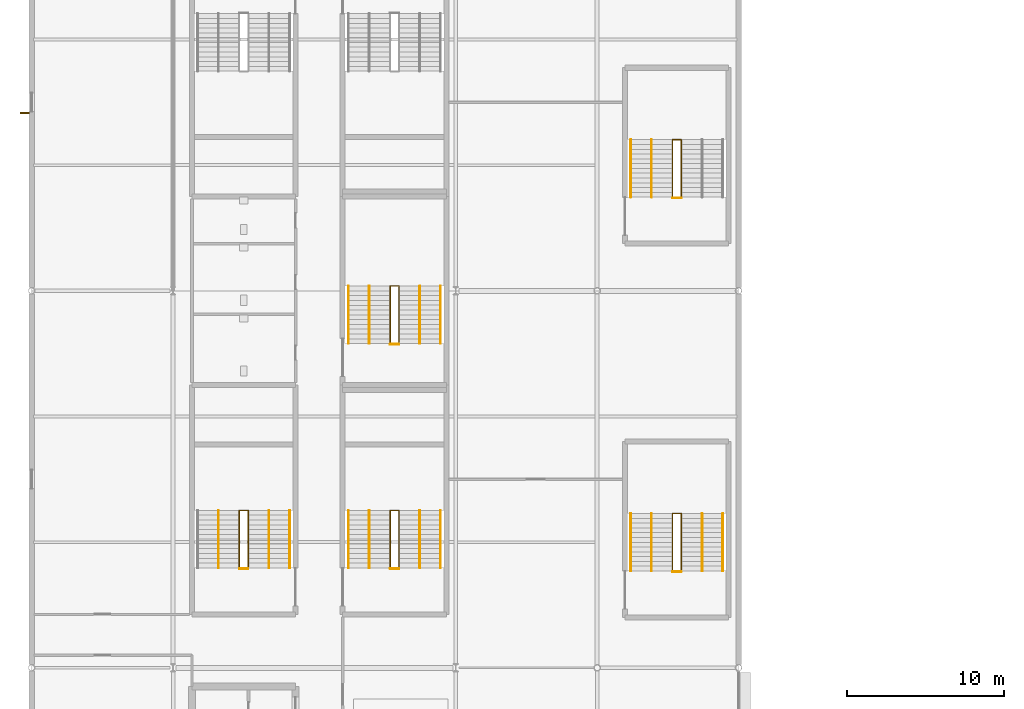
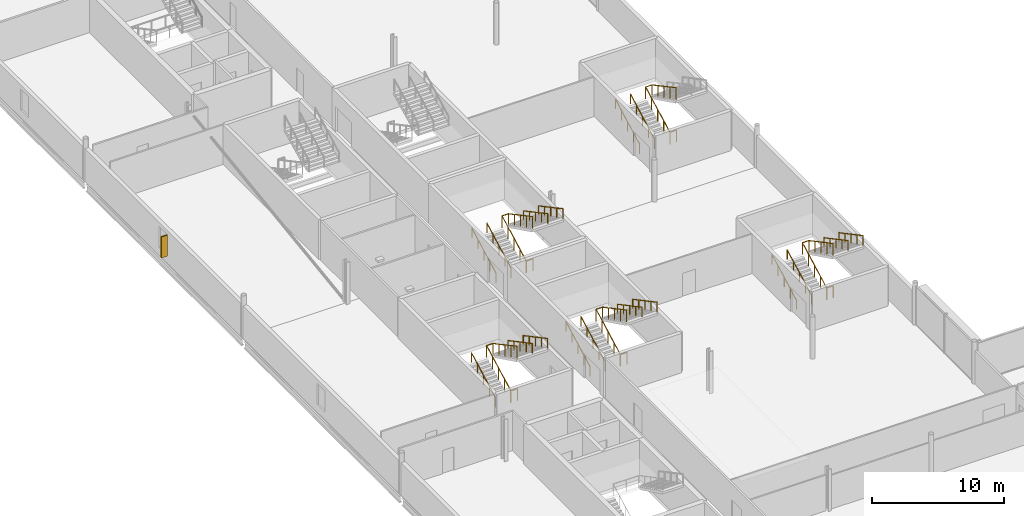
# One storey, part 88 of 96: 27 railings, 1 shading device.
"""IFC4 building model written with IfcOpenShell, lengths in metres."""

from ifc_helpers import new_model, si_unit, direction, frame, origin, origin_2d, place, context, subcontext, project, spatial, rectangle, circle, extrude, material, type_object, element, save


model = new_model("IFC4")

# Units and contexts
model_context = context("Model", 3, precision=1e-05, world=origin(), true_north=direction((0.0, 1.0)))
body_context = subcontext(model_context, "Body", "Model", "MODEL_VIEW")
ifc_project = project(units=[si_unit("LENGTHUNIT", "METRE"), si_unit("AREAUNIT", "SQUARE_METRE"), si_unit("VOLUMEUNIT", "CUBIC_METRE"), si_unit("PLANEANGLEUNIT", "RADIAN"), si_unit("MASSUNIT", "GRAM", prefix="KILO")], contexts=[model_context])

# Site, building, storey
site_placement = place(None, origin())
site = spatial("IfcSite", under=ifc_project, at=site_placement, CompositionType="ELEMENT")
building_placement = place(site_placement, origin())
building = spatial("IfcBuilding", under=site, at=building_placement, Name="Kisiwana Market Hall", CompositionType="ELEMENT")
storey_placement = place(building_placement, frame((0.0, 0.0, 25.5)))
storey = spatial("IfcBuildingStorey", under=building, at=storey_placement, Name="L05", CompositionType="ELEMENT", Elevation=25.5)

# Railings
ifc_material_1 = material(Name="Steel S275", Category="steel")
railing_type_1 = type_object("IfcRailingType", Name="RL-GUARD-1100", PredefinedType="GUARDRAIL", material=ifc_material_1)
railing_1_placement = place(storey_placement, frame((13.219970703125, 42.360107421875, 0.0)))
element("IfcRailing", 1, at=railing_1_placement, inside=storey, type_object=railing_type_1, Name="Stair ST-W3-L05 inner-well guardrail (RL-867)", PredefinedType="GUARDRAIL", context=body_context, shape_type="SweptSolid", body=[
    extrude(circle(Radius=0.02392578125, at=origin_2d()), frame((0.0, 0.0, 1.076171875), z_axis=(0.0, 0.88255331184, 0.47021234752), x_axis=(-1.0, 0.0, 0.0)), (0.0, 0.0, 1.0), 4.14697265625),
    extrude(circle(Radius=0.02392578125, at=origin_2d()), frame((0.0, 3.659912109375, 3.02587890625), z_axis=(1.0, 0.0, 0.0), x_axis=(0.0, 1.0, 0.0)), (0.0, 0.0, 1.0), 0.56005859375),
    extrude(circle(Radius=0.02392578125, at=origin_2d()), frame((0.56005859375, 3.659912109375, 3.02587890625), z_axis=(0.0, -0.88255331184, 0.47021234752), x_axis=(1.0, 0.0, 0.0)), (0.0, 0.0, 1.0), 4.14697265625),
    extrude(circle(Radius=0.02099609375, at=origin_2d()), origin(), (0.0, 0.0, 1.0), 1.052001953125),
    extrude(circle(Radius=0.02099609375, at=origin_2d()), frame((0.0, 0.9150390625, 0.487548828125)), (0.0, 0.0, 1.0), 1.052001953125),
    extrude(circle(Radius=0.02099609375, at=origin_2d()), frame((0.0, 1.830078125, 0.97509765625)), (0.0, 0.0, 1.0), 1.052001953125),
    extrude(circle(Radius=0.02099609375, at=origin_2d()), frame((0.0, 2.744873046875, 1.46240234375)), (0.0, 0.0, 1.0), 1.052001953125),
    extrude(circle(Radius=0.02099609375, at=origin_2d()), frame((0.0, 3.659912109375, 1.949951171875)), (0.0, 0.0, 1.0), 1.052001953125),
    extrude(circle(Radius=0.02099609375, at=origin_2d()), frame((0.56005859375, 3.659912109375, 1.949951171875)), (0.0, 0.0, 1.0), 1.052001953125),
    extrude(circle(Radius=0.02099609375, at=origin_2d()), frame((0.56005859375, 2.744873046875, 2.4375)), (0.0, 0.0, 1.0), 1.052001953125),
    extrude(circle(Radius=0.02099609375, at=origin_2d()), frame((0.56005859375, 1.830078125, 2.9248046875)), (0.0, 0.0, 1.0), 1.052001953125),
    extrude(circle(Radius=0.02099609375, at=origin_2d()), frame((0.56005859375, 0.9150390625, 3.412353515625)), (0.0, 0.0, 1.0), 1.052001953125),
    extrude(circle(Radius=0.02099609375, at=origin_2d()), frame((0.56005859375, 0.0, 3.89990234375)), (0.0, 0.0, 1.0), 1.052001953125),
])
railing_2_placement = place(storey_placement, frame((13.219970703125, 42.31005859375, 0.0)))
element("IfcRailing", 2, at=railing_2_placement, inside=storey, type_object=railing_type_1, Name="Stair ST-W3-L05 landing edge guardrail (RL-872)", PredefinedType="GUARDRAIL", context=body_context, shape_type="SweptSolid", body=[
    extrude(circle(Radius=0.02392578125, at=origin_2d()), frame((0.0, 0.0, 1.076171875), z_axis=(1.0, 0.0, 0.0), x_axis=(0.0, 1.0, 0.0)), (0.0, 0.0, 1.0), 0.56005859375),
    extrude(circle(Radius=0.02099609375, at=origin_2d()), origin(), (0.0, 0.0, 1.0), 1.052001953125),
    extrude(circle(Radius=0.02099609375, at=origin_2d()), frame((0.56005859375, 0.0, 0.0)), (0.0, 0.0, 1.0), 1.052001953125),
])
railing_3_placement = place(storey_placement, frame((22.820068359375, 42.360107421875, 0.0)))
element("IfcRailing", 3, at=railing_3_placement, inside=storey, type_object=railing_type_1, Name="Stair ST-W7-L05 inner-well guardrail (RL-891)", PredefinedType="GUARDRAIL", context=body_context, shape_type="SweptSolid", body=[
    extrude(circle(Radius=0.02392578125, at=origin_2d()), frame((0.0, 0.0, 1.076171875), z_axis=(0.0, 0.88255331184, 0.47021234752), x_axis=(-1.0, 0.0, 0.0)), (0.0, 0.0, 1.0), 4.14697265625),
    extrude(circle(Radius=0.02392578125, at=origin_2d()), frame((0.0, 3.659912109375, 3.02587890625), z_axis=(1.0, 0.0, 0.0), x_axis=(0.0, 1.0, 0.0)), (0.0, 0.0, 1.0), 0.559814453125),
    extrude(circle(Radius=0.02392578125, at=origin_2d()), frame((0.559814453125, 3.659912109375, 3.02587890625), z_axis=(0.0, -0.88255331184, 0.47021234752), x_axis=(1.0, 0.0, 0.0)), (0.0, 0.0, 1.0), 4.14697265625),
    extrude(circle(Radius=0.02099609375, at=origin_2d()), origin(), (0.0, 0.0, 1.0), 1.052001953125),
    extrude(circle(Radius=0.02099609375, at=origin_2d()), frame((0.0, 0.9150390625, 0.487548828125)), (0.0, 0.0, 1.0), 1.052001953125),
    extrude(circle(Radius=0.02099609375, at=origin_2d()), frame((0.0, 1.830078125, 0.97509765625)), (0.0, 0.0, 1.0), 1.052001953125),
    extrude(circle(Radius=0.02099609375, at=origin_2d()), frame((0.0, 2.744873046875, 1.46240234375)), (0.0, 0.0, 1.0), 1.052001953125),
    extrude(circle(Radius=0.02099609375, at=origin_2d()), frame((0.0, 3.659912109375, 1.949951171875)), (0.0, 0.0, 1.0), 1.052001953125),
    extrude(circle(Radius=0.02099609375, at=origin_2d()), frame((0.559814453125, 3.659912109375, 1.949951171875)), (0.0, 0.0, 1.0), 1.052001953125),
    extrude(circle(Radius=0.02099609375, at=origin_2d()), frame((0.559814453125, 2.744873046875, 2.4375)), (0.0, 0.0, 1.0), 1.052001953125),
    extrude(circle(Radius=0.02099609375, at=origin_2d()), frame((0.559814453125, 1.830078125, 2.9248046875)), (0.0, 0.0, 1.0), 1.052001953125),
    extrude(circle(Radius=0.02099609375, at=origin_2d()), frame((0.559814453125, 0.9150390625, 3.412353515625)), (0.0, 0.0, 1.0), 1.052001953125),
    extrude(circle(Radius=0.02099609375, at=origin_2d()), frame((0.559814453125, 0.0, 3.89990234375)), (0.0, 0.0, 1.0), 1.052001953125),
])
railing_4_placement = place(storey_placement, frame((22.820068359375, 42.31005859375, 0.0)))
element("IfcRailing", 4, at=railing_4_placement, inside=storey, type_object=railing_type_1, Name="Stair ST-W7-L05 landing edge guardrail (RL-896)", PredefinedType="GUARDRAIL", context=body_context, shape_type="SweptSolid", body=[
    extrude(circle(Radius=0.02392578125, at=origin_2d()), frame((0.0, 0.0, 1.076171875), z_axis=(1.0, 0.0, 0.0), x_axis=(0.0, 1.0, 0.0)), (0.0, 0.0, 1.0), 0.559814453125),
    extrude(circle(Radius=0.02099609375, at=origin_2d()), origin(), (0.0, 0.0, 1.0), 1.052001953125),
    extrude(circle(Radius=0.02099609375, at=origin_2d()), frame((0.559814453125, 0.0, 0.0)), (0.0, 0.0, 1.0), 1.052001953125),
])
railing_5_placement = place(storey_placement, frame((40.7900390625, 42.159912109375, 0.0)))
element("IfcRailing", 5, at=railing_5_placement, inside=storey, type_object=railing_type_1, Name="Stair ST-W9-L05 inner-well guardrail (RL-915)", PredefinedType="GUARDRAIL", context=body_context, shape_type="SweptSolid", body=[
    extrude(circle(Radius=0.02392578125, at=origin_2d()), frame((0.0, 0.0, 1.076171875), z_axis=(0.0, 0.882566327451, 0.470187917379), x_axis=(-1.0, 0.0, 0.0)), (0.0, 0.0, 1.0), 4.147216796875),
    extrude(circle(Radius=0.02392578125, at=origin_2d()), frame((0.0, 3.66015625, 3.02587890625), z_axis=(1.0, 0.0, 0.0), x_axis=(0.0, 1.0, 0.0)), (0.0, 0.0, 1.0), 0.56005859375),
    extrude(circle(Radius=0.02392578125, at=origin_2d()), frame((0.56005859375, 3.66015625, 3.02587890625), z_axis=(0.0, -0.882566327451, 0.470187917379), x_axis=(1.0, 0.0, 0.0)), (0.0, 0.0, 1.0), 4.147216796875),
    extrude(circle(Radius=0.02099609375, at=origin_2d()), origin(), (0.0, 0.0, 1.0), 1.052001953125),
    extrude(circle(Radius=0.02099609375, at=origin_2d()), frame((0.0, 0.9150390625, 0.487548828125)), (0.0, 0.0, 1.0), 1.052001953125),
    extrude(circle(Radius=0.02099609375, at=origin_2d()), frame((0.0, 1.830078125, 0.97509765625)), (0.0, 0.0, 1.0), 1.052001953125),
    extrude(circle(Radius=0.02099609375, at=origin_2d()), frame((0.0, 2.7451171875, 1.46240234375)), (0.0, 0.0, 1.0), 1.052001953125),
    extrude(circle(Radius=0.02099609375, at=origin_2d()), frame((0.0, 3.66015625, 1.949951171875)), (0.0, 0.0, 1.0), 1.052001953125),
    extrude(circle(Radius=0.02099609375, at=origin_2d()), frame((0.56005859375, 3.66015625, 1.949951171875)), (0.0, 0.0, 1.0), 1.052001953125),
    extrude(circle(Radius=0.02099609375, at=origin_2d()), frame((0.56005859375, 2.7451171875, 2.4375)), (0.0, 0.0, 1.0), 1.052001953125),
    extrude(circle(Radius=0.02099609375, at=origin_2d()), frame((0.56005859375, 1.830078125, 2.9248046875)), (0.0, 0.0, 1.0), 1.052001953125),
    extrude(circle(Radius=0.02099609375, at=origin_2d()), frame((0.56005859375, 0.9150390625, 3.412353515625)), (0.0, 0.0, 1.0), 1.052001953125),
    extrude(circle(Radius=0.02099609375, at=origin_2d()), frame((0.56005859375, 0.0, 3.89990234375)), (0.0, 0.0, 1.0), 1.052001953125),
])
railing_6_placement = place(storey_placement, frame((40.7900390625, 42.110107421875, 0.0)))
element("IfcRailing", 6, at=railing_6_placement, inside=storey, type_object=railing_type_1, Name="Stair ST-W9-L05 landing edge guardrail (RL-920)", PredefinedType="GUARDRAIL", context=body_context, shape_type="SweptSolid", body=[
    extrude(circle(Radius=0.02392578125, at=origin_2d()), frame((0.0, 0.0, 1.076171875), z_axis=(1.0, 0.0, 0.0), x_axis=(0.0, 1.0, 0.0)), (0.0, 0.0, 1.0), 0.56005859375),
    extrude(circle(Radius=0.02099609375, at=origin_2d()), origin(), (0.0, 0.0, 1.0), 1.052001953125),
    extrude(circle(Radius=0.02099609375, at=origin_2d()), frame((0.56005859375, 0.0, 0.0)), (0.0, 0.0, 1.0), 1.052001953125),
])
railing_7_placement = place(storey_placement, frame((40.7900390625, 65.9599609375, 0.0)))
element("IfcRailing", 7, at=railing_7_placement, inside=storey, type_object=railing_type_1, Name="Stair ST-W10-L05 inner-well guardrail (RL-927)", PredefinedType="GUARDRAIL", context=body_context, shape_type="SweptSolid", body=[
    extrude(circle(Radius=0.02392578125, at=origin_2d()), frame((0.0, 0.0, 1.076171875), z_axis=(0.0, 0.882566327451, 0.470187917379), x_axis=(-1.0, 0.0, 0.0)), (0.0, 0.0, 1.0), 4.147216796875),
    extrude(circle(Radius=0.02392578125, at=origin_2d()), frame((0.0, 3.66015625, 3.02587890625), z_axis=(1.0, 0.0, 0.0), x_axis=(0.0, 1.0, 0.0)), (0.0, 0.0, 1.0), 0.56005859375),
    extrude(circle(Radius=0.02392578125, at=origin_2d()), frame((0.56005859375, 3.66015625, 3.02587890625), z_axis=(0.0, -0.882566327451, 0.470187917379), x_axis=(1.0, 0.0, 0.0)), (0.0, 0.0, 1.0), 4.147216796875),
    extrude(circle(Radius=0.02099609375, at=origin_2d()), origin(), (0.0, 0.0, 1.0), 1.052001953125),
    extrude(circle(Radius=0.02099609375, at=origin_2d()), frame((0.0, 0.9150390625, 0.487548828125)), (0.0, 0.0, 1.0), 1.052001953125),
    extrude(circle(Radius=0.02099609375, at=origin_2d()), frame((0.0, 1.830078125, 0.97509765625)), (0.0, 0.0, 1.0), 1.052001953125),
    extrude(circle(Radius=0.02099609375, at=origin_2d()), frame((0.0, 2.7451171875, 1.46240234375)), (0.0, 0.0, 1.0), 1.052001953125),
    extrude(circle(Radius=0.02099609375, at=origin_2d()), frame((0.0, 3.66015625, 1.949951171875)), (0.0, 0.0, 1.0), 1.052001953125),
    extrude(circle(Radius=0.02099609375, at=origin_2d()), frame((0.56005859375, 3.66015625, 1.949951171875)), (0.0, 0.0, 1.0), 1.052001953125),
    extrude(circle(Radius=0.02099609375, at=origin_2d()), frame((0.56005859375, 2.7451171875, 2.4375)), (0.0, 0.0, 1.0), 1.052001953125),
    extrude(circle(Radius=0.02099609375, at=origin_2d()), frame((0.56005859375, 1.830078125, 2.9248046875)), (0.0, 0.0, 1.0), 1.052001953125),
    extrude(circle(Radius=0.02099609375, at=origin_2d()), frame((0.56005859375, 0.9150390625, 3.412353515625)), (0.0, 0.0, 1.0), 1.052001953125),
    extrude(circle(Radius=0.02099609375, at=origin_2d()), frame((0.56005859375, 0.0, 3.89990234375)), (0.0, 0.0, 1.0), 1.052001953125),
])
railing_8_placement = place(storey_placement, frame((40.7900390625, 65.909912109375, 0.0)))
element("IfcRailing", 8, at=railing_8_placement, inside=storey, type_object=railing_type_1, Name="Stair ST-W10-L05 landing edge guardrail (RL-932)", PredefinedType="GUARDRAIL", context=body_context, shape_type="SweptSolid", body=[
    extrude(circle(Radius=0.02392578125, at=origin_2d()), frame((0.0, 0.0, 1.076171875), z_axis=(1.0, 0.0, 0.0), x_axis=(0.0, 1.0, 0.0)), (0.0, 0.0, 1.0), 0.56005859375),
    extrude(circle(Radius=0.02099609375, at=origin_2d()), origin(), (0.0, 0.0, 1.0), 1.052001953125),
    extrude(circle(Radius=0.02099609375, at=origin_2d()), frame((0.56005859375, 0.0, 0.0)), (0.0, 0.0, 1.0), 1.052001953125),
])
railing_9_placement = place(storey_placement, frame((22.820068359375, 56.639892578125, 0.0)))
element("IfcRailing", 9, at=railing_9_placement, inside=storey, type_object=railing_type_1, Name="Stair ST-W5-L05 inner-well guardrail (RL-939)", PredefinedType="GUARDRAIL", context=body_context, shape_type="SweptSolid", body=[
    extrude(circle(Radius=0.02392578125, at=origin_2d()), frame((0.0, 0.0, 1.076171875), z_axis=(0.0, 0.882566327451, 0.470187917379), x_axis=(-1.0, 0.0, 0.0)), (0.0, 0.0, 1.0), 4.147216796875),
    extrude(circle(Radius=0.02392578125, at=origin_2d()), frame((0.0, 3.66015625, 3.02587890625), z_axis=(1.0, 0.0, 0.0), x_axis=(0.0, 1.0, 0.0)), (0.0, 0.0, 1.0), 0.559814453125),
    extrude(circle(Radius=0.02392578125, at=origin_2d()), frame((0.559814453125, 3.66015625, 3.02587890625), z_axis=(0.0, -0.882566327451, 0.470187917379), x_axis=(1.0, 0.0, 0.0)), (0.0, 0.0, 1.0), 4.147216796875),
    extrude(circle(Radius=0.02099609375, at=origin_2d()), origin(), (0.0, 0.0, 1.0), 1.052001953125),
    extrude(circle(Radius=0.02099609375, at=origin_2d()), frame((0.0, 0.9150390625, 0.487548828125)), (0.0, 0.0, 1.0), 1.052001953125),
    extrude(circle(Radius=0.02099609375, at=origin_2d()), frame((0.0, 1.830078125, 0.97509765625)), (0.0, 0.0, 1.0), 1.052001953125),
    extrude(circle(Radius=0.02099609375, at=origin_2d()), frame((0.0, 2.7451171875, 1.46240234375)), (0.0, 0.0, 1.0), 1.052001953125),
    extrude(circle(Radius=0.02099609375, at=origin_2d()), frame((0.0, 3.66015625, 1.949951171875)), (0.0, 0.0, 1.0), 1.052001953125),
    extrude(circle(Radius=0.02099609375, at=origin_2d()), frame((0.559814453125, 3.66015625, 1.949951171875)), (0.0, 0.0, 1.0), 1.052001953125),
    extrude(circle(Radius=0.02099609375, at=origin_2d()), frame((0.559814453125, 2.7451171875, 2.4375)), (0.0, 0.0, 1.0), 1.052001953125),
    extrude(circle(Radius=0.02099609375, at=origin_2d()), frame((0.559814453125, 1.830078125, 2.9248046875)), (0.0, 0.0, 1.0), 1.052001953125),
    extrude(circle(Radius=0.02099609375, at=origin_2d()), frame((0.559814453125, 0.9150390625, 3.412353515625)), (0.0, 0.0, 1.0), 1.052001953125),
    extrude(circle(Radius=0.02099609375, at=origin_2d()), frame((0.559814453125, 0.0, 3.89990234375)), (0.0, 0.0, 1.0), 1.052001953125),
])
railing_10_placement = place(storey_placement, frame((22.820068359375, 56.590087890625, 0.0)))
element("IfcRailing", 10, at=railing_10_placement, inside=storey, type_object=railing_type_1, Name="Stair ST-W5-L05 landing edge guardrail (RL-944)", PredefinedType="GUARDRAIL", context=body_context, shape_type="SweptSolid", body=[
    extrude(circle(Radius=0.02392578125, at=origin_2d()), frame((0.0, 0.0, 1.076171875), z_axis=(1.0, 0.0, 0.0), x_axis=(0.0, 1.0, 0.0)), (0.0, 0.0, 1.0), 0.559814453125),
    extrude(circle(Radius=0.02099609375, at=origin_2d()), origin(), (0.0, 0.0, 1.0), 1.052001953125),
    extrude(circle(Radius=0.02099609375, at=origin_2d()), frame((0.559814453125, 0.0, 0.0)), (0.0, 0.0, 1.0), 1.052001953125),
])
ifc_material_2 = material(Name="Steel S275", Category="steel")
railing_type_2 = type_object("IfcRailingType", Name="RL-HAND-900", PredefinedType="HANDRAIL", material=ifc_material_2)
railing_11_placement = place(storey_placement, frame((16.429931640625, 46.02001953125, 1.949951171875)))
element("IfcRailing", 11, at=railing_11_placement, inside=storey, type_object=railing_type_2, Name="Stair ST-W3-L05 flight 2 handrail (RL-869)", PredefinedType="HANDRAIL", context=body_context, shape_type="SweptSolid", body=[
    extrude(circle(Radius=0.02392578125, at=origin_2d()), frame((0.0, 0.0, 0.8759765625), z_axis=(0.0, -0.88255331184, 0.47021234752), x_axis=(1.0, 0.0, 0.0)), (0.0, 0.0, 1.0), 4.14697265625),
    extrude(circle(Radius=0.02099609375, at=origin_2d()), origin(), (0.0, 0.0, 1.0), 0.851806640625),
    extrude(circle(Radius=0.02099609375, at=origin_2d()), frame((0.0, -0.9150390625, 0.487548828125)), (0.0, 0.0, 1.0), 0.851806640625),
    extrude(circle(Radius=0.02099609375, at=origin_2d()), frame((0.0, -1.830078125, 0.97509765625)), (0.0, 0.0, 1.0), 0.851806640625),
    extrude(circle(Radius=0.02099609375, at=origin_2d()), frame((0.0, -2.744873046875, 1.46240234375)), (0.0, 0.0, 1.0), 0.851806640625),
    extrude(circle(Radius=0.02099609375, at=origin_2d()), frame((0.0, -3.659912109375, 1.949951171875)), (0.0, 0.0, 1.0), 0.851806640625),
])
railing_12_placement = place(storey_placement, frame((11.889892578125, 42.360107421875, 0.0)))
element("IfcRailing", 12, at=railing_12_placement, inside=storey, type_object=railing_type_2, Name="Stair ST-W3-L05 flight 1 intermediate handrail (RL-870)", PredefinedType="HANDRAIL", context=body_context, shape_type="SweptSolid", body=[
    extrude(circle(Radius=0.02392578125, at=origin_2d()), frame((0.0, 0.0, 0.8759765625), z_axis=(0.0, 0.88255331184, 0.47021234752), x_axis=(-1.0, 0.0, 0.0)), (0.0, 0.0, 1.0), 4.14697265625),
    extrude(circle(Radius=0.02099609375, at=origin_2d()), origin(), (0.0, 0.0, 1.0), 0.851806640625),
    extrude(circle(Radius=0.02099609375, at=origin_2d()), frame((0.0, 0.9150390625, 0.487548828125)), (0.0, 0.0, 1.0), 0.851806640625),
    extrude(circle(Radius=0.02099609375, at=origin_2d()), frame((0.0, 1.830078125, 0.97509765625)), (0.0, 0.0, 1.0), 0.851806640625),
    extrude(circle(Radius=0.02099609375, at=origin_2d()), frame((0.0, 2.744873046875, 1.46240234375)), (0.0, 0.0, 1.0), 0.851806640625),
    extrude(circle(Radius=0.02099609375, at=origin_2d()), frame((0.0, 3.659912109375, 1.949951171875)), (0.0, 0.0, 1.0), 0.851806640625),
])
railing_13_placement = place(storey_placement, frame((15.110107421875, 46.02001953125, 1.949951171875)))
element("IfcRailing", 13, at=railing_13_placement, inside=storey, type_object=railing_type_2, Name="Stair ST-W3-L05 flight 2 intermediate handrail (RL-871)", PredefinedType="HANDRAIL", context=body_context, shape_type="SweptSolid", body=[
    extrude(circle(Radius=0.02392578125, at=origin_2d()), frame((0.0, 0.0, 0.8759765625), z_axis=(0.0, -0.88255331184, 0.47021234752), x_axis=(1.0, 0.0, 0.0)), (0.0, 0.0, 1.0), 4.14697265625),
    extrude(circle(Radius=0.02099609375, at=origin_2d()), origin(), (0.0, 0.0, 1.0), 0.851806640625),
    extrude(circle(Radius=0.02099609375, at=origin_2d()), frame((0.0, -0.9150390625, 0.487548828125)), (0.0, 0.0, 1.0), 0.851806640625),
    extrude(circle(Radius=0.02099609375, at=origin_2d()), frame((0.0, -1.830078125, 0.97509765625)), (0.0, 0.0, 1.0), 0.851806640625),
    extrude(circle(Radius=0.02099609375, at=origin_2d()), frame((0.0, -2.744873046875, 1.46240234375)), (0.0, 0.0, 1.0), 0.851806640625),
    extrude(circle(Radius=0.02099609375, at=origin_2d()), frame((0.0, -3.659912109375, 1.949951171875)), (0.0, 0.0, 1.0), 0.851806640625),
])
railing_14_placement = place(storey_placement, frame((20.169921875, 42.360107421875, 0.0)))
element("IfcRailing", 14, at=railing_14_placement, inside=storey, type_object=railing_type_2, Name="Stair ST-W7-L05 flight 1 handrail (RL-892)", PredefinedType="HANDRAIL", context=body_context, shape_type="SweptSolid", body=[
    extrude(circle(Radius=0.02392578125, at=origin_2d()), frame((0.0, 0.0, 0.8759765625), z_axis=(0.0, 0.88255331184, 0.47021234752), x_axis=(-1.0, 0.0, 0.0)), (0.0, 0.0, 1.0), 4.14697265625),
    extrude(circle(Radius=0.02099609375, at=origin_2d()), origin(), (0.0, 0.0, 1.0), 0.851806640625),
    extrude(circle(Radius=0.02099609375, at=origin_2d()), frame((0.0, 0.9150390625, 0.487548828125)), (0.0, 0.0, 1.0), 0.851806640625),
    extrude(circle(Radius=0.02099609375, at=origin_2d()), frame((0.0, 1.830078125, 0.97509765625)), (0.0, 0.0, 1.0), 0.851806640625),
    extrude(circle(Radius=0.02099609375, at=origin_2d()), frame((0.0, 2.744873046875, 1.46240234375)), (0.0, 0.0, 1.0), 0.851806640625),
    extrude(circle(Radius=0.02099609375, at=origin_2d()), frame((0.0, 3.659912109375, 1.949951171875)), (0.0, 0.0, 1.0), 0.851806640625),
])
railing_15_placement = place(storey_placement, frame((26.030029296875, 46.02001953125, 1.949951171875)))
element("IfcRailing", 15, at=railing_15_placement, inside=storey, type_object=railing_type_2, Name="Stair ST-W7-L05 flight 2 handrail (RL-893)", PredefinedType="HANDRAIL", context=body_context, shape_type="SweptSolid", body=[
    extrude(circle(Radius=0.02392578125, at=origin_2d()), frame((0.0, 0.0, 0.8759765625), z_axis=(0.0, -0.88255331184, 0.47021234752), x_axis=(1.0, 0.0, 0.0)), (0.0, 0.0, 1.0), 4.14697265625),
    extrude(circle(Radius=0.02099609375, at=origin_2d()), origin(), (0.0, 0.0, 1.0), 0.851806640625),
    extrude(circle(Radius=0.02099609375, at=origin_2d()), frame((0.0, -0.9150390625, 0.487548828125)), (0.0, 0.0, 1.0), 0.851806640625),
    extrude(circle(Radius=0.02099609375, at=origin_2d()), frame((0.0, -1.830078125, 0.97509765625)), (0.0, 0.0, 1.0), 0.851806640625),
    extrude(circle(Radius=0.02099609375, at=origin_2d()), frame((0.0, -2.744873046875, 1.46240234375)), (0.0, 0.0, 1.0), 0.851806640625),
    extrude(circle(Radius=0.02099609375, at=origin_2d()), frame((0.0, -3.659912109375, 1.949951171875)), (0.0, 0.0, 1.0), 0.851806640625),
])
railing_16_placement = place(storey_placement, frame((21.489990234375, 42.360107421875, 0.0)))
element("IfcRailing", 16, at=railing_16_placement, inside=storey, type_object=railing_type_2, Name="Stair ST-W7-L05 flight 1 intermediate handrail (RL-894)", PredefinedType="HANDRAIL", context=body_context, shape_type="SweptSolid", body=[
    extrude(circle(Radius=0.02392578125, at=origin_2d()), frame((0.0, 0.0, 0.8759765625), z_axis=(0.0, 0.88255331184, 0.47021234752), x_axis=(-1.0, 0.0, 0.0)), (0.0, 0.0, 1.0), 4.14697265625),
    extrude(circle(Radius=0.02099609375, at=origin_2d()), origin(), (0.0, 0.0, 1.0), 0.851806640625),
    extrude(circle(Radius=0.02099609375, at=origin_2d()), frame((0.0, 0.9150390625, 0.487548828125)), (0.0, 0.0, 1.0), 0.851806640625),
    extrude(circle(Radius=0.02099609375, at=origin_2d()), frame((0.0, 1.830078125, 0.97509765625)), (0.0, 0.0, 1.0), 0.851806640625),
    extrude(circle(Radius=0.02099609375, at=origin_2d()), frame((0.0, 2.744873046875, 1.46240234375)), (0.0, 0.0, 1.0), 0.851806640625),
    extrude(circle(Radius=0.02099609375, at=origin_2d()), frame((0.0, 3.659912109375, 1.949951171875)), (0.0, 0.0, 1.0), 0.851806640625),
])
railing_17_placement = place(storey_placement, frame((24.7099609375, 46.02001953125, 1.949951171875)))
element("IfcRailing", 17, at=railing_17_placement, inside=storey, type_object=railing_type_2, Name="Stair ST-W7-L05 flight 2 intermediate handrail (RL-895)", PredefinedType="HANDRAIL", context=body_context, shape_type="SweptSolid", body=[
    extrude(circle(Radius=0.02392578125, at=origin_2d()), frame((0.0, 0.0, 0.8759765625), z_axis=(0.0, -0.88255331184, 0.47021234752), x_axis=(1.0, 0.0, 0.0)), (0.0, 0.0, 1.0), 4.14697265625),
    extrude(circle(Radius=0.02099609375, at=origin_2d()), origin(), (0.0, 0.0, 1.0), 0.851806640625),
    extrude(circle(Radius=0.02099609375, at=origin_2d()), frame((0.0, -0.9150390625, 0.487548828125)), (0.0, 0.0, 1.0), 0.851806640625),
    extrude(circle(Radius=0.02099609375, at=origin_2d()), frame((0.0, -1.830078125, 0.97509765625)), (0.0, 0.0, 1.0), 0.851806640625),
    extrude(circle(Radius=0.02099609375, at=origin_2d()), frame((0.0, -2.744873046875, 1.46240234375)), (0.0, 0.0, 1.0), 0.851806640625),
    extrude(circle(Radius=0.02099609375, at=origin_2d()), frame((0.0, -3.659912109375, 1.949951171875)), (0.0, 0.0, 1.0), 0.851806640625),
])
railing_18_placement = place(storey_placement, frame((38.139892578125, 42.159912109375, 0.0)))
element("IfcRailing", 18, at=railing_18_placement, inside=storey, type_object=railing_type_2, Name="Stair ST-W9-L05 flight 1 handrail (RL-916)", PredefinedType="HANDRAIL", context=body_context, shape_type="SweptSolid", body=[
    extrude(circle(Radius=0.02392578125, at=origin_2d()), frame((0.0, 0.0, 0.8759765625), z_axis=(0.0, 0.882566327451, 0.470187917379), x_axis=(-1.0, 0.0, 0.0)), (0.0, 0.0, 1.0), 4.147216796875),
    extrude(circle(Radius=0.02099609375, at=origin_2d()), origin(), (0.0, 0.0, 1.0), 0.851806640625),
    extrude(circle(Radius=0.02099609375, at=origin_2d()), frame((0.0, 0.9150390625, 0.487548828125)), (0.0, 0.0, 1.0), 0.851806640625),
    extrude(circle(Radius=0.02099609375, at=origin_2d()), frame((0.0, 1.830078125, 0.97509765625)), (0.0, 0.0, 1.0), 0.851806640625),
    extrude(circle(Radius=0.02099609375, at=origin_2d()), frame((0.0, 2.7451171875, 1.46240234375)), (0.0, 0.0, 1.0), 0.851806640625),
    extrude(circle(Radius=0.02099609375, at=origin_2d()), frame((0.0, 3.66015625, 1.949951171875)), (0.0, 0.0, 1.0), 0.851806640625),
])
railing_19_placement = place(storey_placement, frame((44.0, 45.820068359375, 1.949951171875)))
element("IfcRailing", 19, at=railing_19_placement, inside=storey, type_object=railing_type_2, Name="Stair ST-W9-L05 flight 2 handrail (RL-917)", PredefinedType="HANDRAIL", context=body_context, shape_type="SweptSolid", body=[
    extrude(circle(Radius=0.02392578125, at=origin_2d()), frame((0.0, 0.0, 0.8759765625), z_axis=(0.0, -0.882566327451, 0.470187917379), x_axis=(1.0, 0.0, 0.0)), (0.0, 0.0, 1.0), 4.147216796875),
    extrude(circle(Radius=0.02099609375, at=origin_2d()), origin(), (0.0, 0.0, 1.0), 0.851806640625),
    extrude(circle(Radius=0.02099609375, at=origin_2d()), frame((0.0, -0.9150390625, 0.487548828125)), (0.0, 0.0, 1.0), 0.851806640625),
    extrude(circle(Radius=0.02099609375, at=origin_2d()), frame((0.0, -1.830078125, 0.97509765625)), (0.0, 0.0, 1.0), 0.851806640625),
    extrude(circle(Radius=0.02099609375, at=origin_2d()), frame((0.0, -2.7451171875, 1.46240234375)), (0.0, 0.0, 1.0), 0.851806640625),
    extrude(circle(Radius=0.02099609375, at=origin_2d()), frame((0.0, -3.66015625, 1.949951171875)), (0.0, 0.0, 1.0), 0.851806640625),
])
railing_20_placement = place(storey_placement, frame((39.4599609375, 42.159912109375, 0.0)))
element("IfcRailing", 20, at=railing_20_placement, inside=storey, type_object=railing_type_2, Name="Stair ST-W9-L05 flight 1 intermediate handrail (RL-918)", PredefinedType="HANDRAIL", context=body_context, shape_type="SweptSolid", body=[
    extrude(circle(Radius=0.02392578125, at=origin_2d()), frame((0.0, 0.0, 0.8759765625), z_axis=(0.0, 0.882566327451, 0.470187917379), x_axis=(-1.0, 0.0, 0.0)), (0.0, 0.0, 1.0), 4.147216796875),
    extrude(circle(Radius=0.02099609375, at=origin_2d()), origin(), (0.0, 0.0, 1.0), 0.851806640625),
    extrude(circle(Radius=0.02099609375, at=origin_2d()), frame((0.0, 0.9150390625, 0.487548828125)), (0.0, 0.0, 1.0), 0.851806640625),
    extrude(circle(Radius=0.02099609375, at=origin_2d()), frame((0.0, 1.830078125, 0.97509765625)), (0.0, 0.0, 1.0), 0.851806640625),
    extrude(circle(Radius=0.02099609375, at=origin_2d()), frame((0.0, 2.7451171875, 1.46240234375)), (0.0, 0.0, 1.0), 0.851806640625),
    extrude(circle(Radius=0.02099609375, at=origin_2d()), frame((0.0, 3.66015625, 1.949951171875)), (0.0, 0.0, 1.0), 0.851806640625),
])
railing_21_placement = place(storey_placement, frame((42.679931640625, 45.820068359375, 1.949951171875)))
element("IfcRailing", 21, at=railing_21_placement, inside=storey, type_object=railing_type_2, Name="Stair ST-W9-L05 flight 2 intermediate handrail (RL-919)", PredefinedType="HANDRAIL", context=body_context, shape_type="SweptSolid", body=[
    extrude(circle(Radius=0.02392578125, at=origin_2d()), frame((0.0, 0.0, 0.8759765625), z_axis=(0.0, -0.882566327451, 0.470187917379), x_axis=(1.0, 0.0, 0.0)), (0.0, 0.0, 1.0), 4.147216796875),
    extrude(circle(Radius=0.02099609375, at=origin_2d()), origin(), (0.0, 0.0, 1.0), 0.851806640625),
    extrude(circle(Radius=0.02099609375, at=origin_2d()), frame((0.0, -0.9150390625, 0.487548828125)), (0.0, 0.0, 1.0), 0.851806640625),
    extrude(circle(Radius=0.02099609375, at=origin_2d()), frame((0.0, -1.830078125, 0.97509765625)), (0.0, 0.0, 1.0), 0.851806640625),
    extrude(circle(Radius=0.02099609375, at=origin_2d()), frame((0.0, -2.7451171875, 1.46240234375)), (0.0, 0.0, 1.0), 0.851806640625),
    extrude(circle(Radius=0.02099609375, at=origin_2d()), frame((0.0, -3.66015625, 1.949951171875)), (0.0, 0.0, 1.0), 0.851806640625),
])
for number, where, name in (
    (22, (38.139892578125, 65.9599609375, 0.0), "Stair ST-W10-L05 flight 1 handrail (RL-928)"),
    (23, (39.4599609375, 65.9599609375, 0.0), "Stair ST-W10-L05 flight 1 intermediate handrail (RL-930)"),
    (24, (20.169921875, 56.639892578125, 0.0), "Stair ST-W5-L05 flight 1 handrail (RL-940)"),
):
    element("IfcRailing", number, at=place(storey_placement, frame(where)), inside=storey, type_object=railing_type_2, Name=name, PredefinedType="HANDRAIL", context=body_context, shape_type="SweptSolid", body=[
        extrude(circle(Radius=0.02392578125, at=origin_2d()), frame((0.0, 0.0, 0.8759765625), z_axis=(0.0, 0.882566327451, 0.470187917379), x_axis=(-1.0, 0.0, 0.0)), (0.0, 0.0, 1.0), 4.147216796875),
        extrude(circle(Radius=0.02099609375, at=origin_2d()), origin(), (0.0, 0.0, 1.0), 0.851806640625),
        extrude(circle(Radius=0.02099609375, at=origin_2d()), frame((0.0, 0.9150390625, 0.487548828125)), (0.0, 0.0, 1.0), 0.851806640625),
        extrude(circle(Radius=0.02099609375, at=origin_2d()), frame((0.0, 1.830078125, 0.97509765625)), (0.0, 0.0, 1.0), 0.851806640625),
        extrude(circle(Radius=0.02099609375, at=origin_2d()), frame((0.0, 2.7451171875, 1.46240234375)), (0.0, 0.0, 1.0), 0.851806640625),
        extrude(circle(Radius=0.02099609375, at=origin_2d()), frame((0.0, 3.66015625, 1.949951171875)), (0.0, 0.0, 1.0), 0.851806640625),
    ])
railing_22_placement = place(storey_placement, frame((26.030029296875, 60.300048828125, 1.949951171875)))
element("IfcRailing", 25, at=railing_22_placement, inside=storey, type_object=railing_type_2, Name="Stair ST-W5-L05 flight 2 handrail (RL-941)", PredefinedType="HANDRAIL", context=body_context, shape_type="SweptSolid", body=[
    extrude(circle(Radius=0.02392578125, at=origin_2d()), frame((0.0, 0.0, 0.8759765625), z_axis=(0.0, -0.882566327451, 0.470187917379), x_axis=(1.0, 0.0, 0.0)), (0.0, 0.0, 1.0), 4.147216796875),
    extrude(circle(Radius=0.02099609375, at=origin_2d()), origin(), (0.0, 0.0, 1.0), 0.851806640625),
    extrude(circle(Radius=0.02099609375, at=origin_2d()), frame((0.0, -0.9150390625, 0.487548828125)), (0.0, 0.0, 1.0), 0.851806640625),
    extrude(circle(Radius=0.02099609375, at=origin_2d()), frame((0.0, -1.830078125, 0.97509765625)), (0.0, 0.0, 1.0), 0.851806640625),
    extrude(circle(Radius=0.02099609375, at=origin_2d()), frame((0.0, -2.7451171875, 1.46240234375)), (0.0, 0.0, 1.0), 0.851806640625),
    extrude(circle(Radius=0.02099609375, at=origin_2d()), frame((0.0, -3.66015625, 1.949951171875)), (0.0, 0.0, 1.0), 0.851806640625),
])
railing_23_placement = place(storey_placement, frame((21.489990234375, 56.639892578125, 0.0)))
element("IfcRailing", 26, at=railing_23_placement, inside=storey, type_object=railing_type_2, Name="Stair ST-W5-L05 flight 1 intermediate handrail (RL-942)", PredefinedType="HANDRAIL", context=body_context, shape_type="SweptSolid", body=[
    extrude(circle(Radius=0.02392578125, at=origin_2d()), frame((0.0, 0.0, 0.8759765625), z_axis=(0.0, 0.882566327451, 0.470187917379), x_axis=(-1.0, 0.0, 0.0)), (0.0, 0.0, 1.0), 4.147216796875),
    extrude(circle(Radius=0.02099609375, at=origin_2d()), origin(), (0.0, 0.0, 1.0), 0.851806640625),
    extrude(circle(Radius=0.02099609375, at=origin_2d()), frame((0.0, 0.9150390625, 0.487548828125)), (0.0, 0.0, 1.0), 0.851806640625),
    extrude(circle(Radius=0.02099609375, at=origin_2d()), frame((0.0, 1.830078125, 0.97509765625)), (0.0, 0.0, 1.0), 0.851806640625),
    extrude(circle(Radius=0.02099609375, at=origin_2d()), frame((0.0, 2.7451171875, 1.46240234375)), (0.0, 0.0, 1.0), 0.851806640625),
    extrude(circle(Radius=0.02099609375, at=origin_2d()), frame((0.0, 3.66015625, 1.949951171875)), (0.0, 0.0, 1.0), 0.851806640625),
])
railing_24_placement = place(storey_placement, frame((24.7099609375, 60.300048828125, 1.949951171875)))
element("IfcRailing", 27, at=railing_24_placement, inside=storey, type_object=railing_type_2, Name="Stair ST-W5-L05 flight 2 intermediate handrail (RL-943)", PredefinedType="HANDRAIL", context=body_context, shape_type="SweptSolid", body=[
    extrude(circle(Radius=0.02392578125, at=origin_2d()), frame((0.0, 0.0, 0.8759765625), z_axis=(0.0, -0.882566327451, 0.470187917379), x_axis=(1.0, 0.0, 0.0)), (0.0, 0.0, 1.0), 4.147216796875),
    extrude(circle(Radius=0.02099609375, at=origin_2d()), origin(), (0.0, 0.0, 1.0), 0.851806640625),
    extrude(circle(Radius=0.02099609375, at=origin_2d()), frame((0.0, -0.9150390625, 0.487548828125)), (0.0, 0.0, 1.0), 0.851806640625),
    extrude(circle(Radius=0.02099609375, at=origin_2d()), frame((0.0, -1.830078125, 0.97509765625)), (0.0, 0.0, 1.0), 0.851806640625),
    extrude(circle(Radius=0.02099609375, at=origin_2d()), frame((0.0, -2.7451171875, 1.46240234375)), (0.0, 0.0, 1.0), 0.851806640625),
    extrude(circle(Radius=0.02099609375, at=origin_2d()), frame((0.0, -3.66015625, 1.949951171875)), (0.0, 0.0, 1.0), 0.851806640625),
])

# Shading device
ifc_material_3 = material(Name="Aluminium alloy 6063-T6", Category="aluminium")
shading_device_type = type_object("IfcShadingDeviceType", Name="SHD-SHUTTER-V", PredefinedType="SHUTTER", material=ifc_material_3)
shading_device_placement = place(storey_placement, frame((-0.445068359375, 71.320068359375, 0.7001953125), z_axis=(0.0, 0.0, 1.0), x_axis=(0.0, 1.0, 0.0)))
element("IfcShadingDevice", 28, at=shading_device_placement, inside=storey, type_object=shading_device_type, Name="Vertical solar fin SHD-115 SD-115", PredefinedType="SHUTTER", context=body_context, shape_type="SweptSolid", body=[
    extrude(rectangle(XDim=0.1201171875, YDim=0.550048828125, at=origin_2d()), origin(), (0.0, 0.0, 1.0), 1.949951171875),
])

save(model, "model.ifc")
